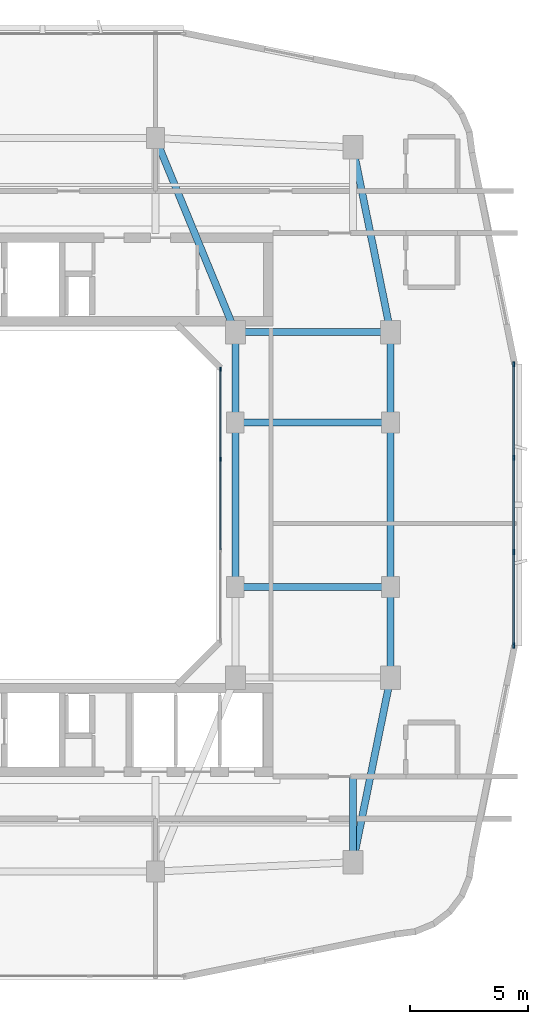
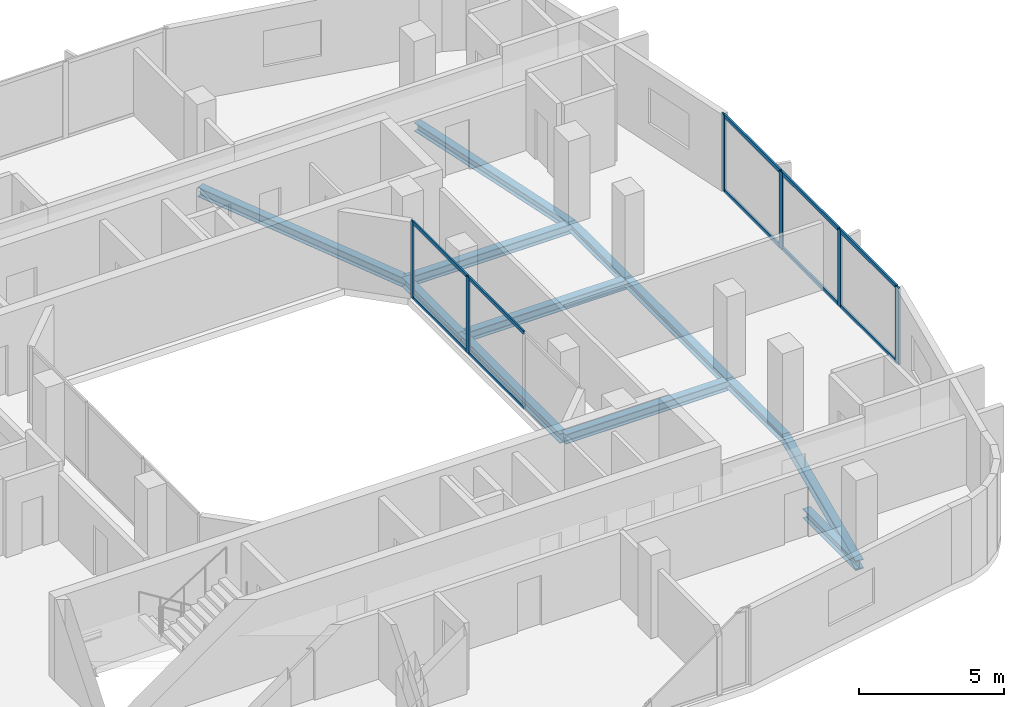
# One storey, part 4 of 14: 16 members, 12 beams, 2 elements without a shape of their own.
"""IFC4 building model written with IfcOpenShell, lengths in metres."""

from ifc_helpers import new_model, si_unit, derived_unit, direction, frame, origin, origin_2d, place, context, subcontext, project, spatial, rectangle, i_section, extrude, material, layer, layer_set, material_profile, profile_set, type_object, element, aggregate, save


model = new_model("IFC4")

# Units and contexts
model_context = context("Model", 3, precision=1e-05, world=origin(), true_north=direction((0.0, 1.0)))
body_context = subcontext(model_context, "Body", "Model", "MODEL_VIEW")
ifc_project = project(units=[si_unit("LENGTHUNIT", "METRE"), si_unit("AREAUNIT", "SQUARE_METRE"), si_unit("VOLUMEUNIT", "CUBIC_METRE"), si_unit("PLANEANGLEUNIT", "RADIAN"), si_unit("MASSUNIT", "GRAM", prefix="KILO"), derived_unit("THERMALTRANSMITTANCEUNIT", [(si_unit("POWERUNIT", "WATT"), 1), (si_unit("LENGTHUNIT", "METRE"), -2), (si_unit("THERMODYNAMICTEMPERATUREUNIT", "KELVIN"), -1)])], contexts=[model_context])

# Site, building, storey
site_placement = place(None, origin())
site = spatial("IfcSite", under=ifc_project, at=site_placement, CompositionType="ELEMENT")
building_placement = place(site_placement, origin())
building = spatial("IfcBuilding", under=site, at=building_placement, Name="Kivonza Crest Hotel", CompositionType="ELEMENT")
storey_placement = place(building_placement, frame((0.0, 0.0, 148.5)))
storey = spatial("IfcBuildingStorey", under=building, at=storey_placement, Name="L40", CompositionType="ELEMENT", Elevation=148.5)

# Beams
ifc_material_1 = material(Name="Steel S355", Category="steel")
ifc_material_profile_1 = material_profile(ifc_material_1, i_section(OverallWidth=0.300048828125, OverallDepth=0.360107421875, WebThickness=0.012451171875, FlangeThickness=0.0224609375, FilletRadius=0.027099609375, at=origin_2d()), Name="HEB 360")
ifc_profile_set_1 = profile_set([ifc_material_profile_1], Name="Steel S355")
beam_type_1 = type_object("IfcBeamType", Name="BM-HEB360", PredefinedType="SPANDREL", material=ifc_profile_set_1)
beam_1_placement = place(storey_placement, frame((34.199951171875, 9.800048828125, -0.4599609375), z_axis=(0.199730733965, 0.979850822273, 0.0), x_axis=(-0.979850822273, 0.199730733965, 0.0)))
element("IfcBeam", 1, at=beam_1_placement, inside=storey, type_object=beam_type_1, Name="Tower T1 L40 perimeter spandrel SE-PSE", PredefinedType="SPANDREL", context=body_context, shape_type="SweptSolid", body=[
    extrude(i_section(OverallWidth=0.300048828125, OverallDepth=0.360107421875, WebThickness=0.012451171875, FlangeThickness=0.0224609375, FilletRadius=0.027099609375, at=origin_2d()), origin(), (0.0, 0.0, 1.0), 8.01123046875),
])
beam_2_placement = place(storey_placement, frame((35.800048828125, 17.64990234375, -0.4599609375), z_axis=(0.0, 1.0, 0.0), x_axis=(-1.0, 0.0, 0.0)))
element("IfcBeam", 2, at=beam_2_placement, inside=storey, type_object=beam_type_1, Name="Tower T1 L40 perimeter spandrel PSE-E1", PredefinedType="SPANDREL", context=body_context, shape_type="SweptSolid", body=[
    extrude(i_section(OverallWidth=0.300048828125, OverallDepth=0.360107421875, WebThickness=0.012451171875, FlangeThickness=0.0224609375, FilletRadius=0.027099609375, at=origin_2d()), origin(), (0.0, 0.0, 1.0), 3.85009765625),
])
beam_3_placement = place(storey_placement, frame((35.800048828125, 21.5, -0.4599609375), z_axis=(0.0, 1.0, 0.0), x_axis=(-1.0, 0.0, 0.0)))
element("IfcBeam", 3, at=beam_3_placement, inside=storey, type_object=beam_type_1, Name="Tower T1 L40 perimeter spandrel E1-E2", PredefinedType="SPANDREL", context=body_context, shape_type="SweptSolid", body=[
    extrude(i_section(OverallWidth=0.300048828125, OverallDepth=0.360107421875, WebThickness=0.012451171875, FlangeThickness=0.0224609375, FilletRadius=0.027099609375, at=origin_2d()), origin(), (0.0, 0.0, 1.0), 7.0),
])
beam_4_placement = place(storey_placement, frame((35.800048828125, 28.5, -0.4599609375), z_axis=(0.0, 1.0, 0.0), x_axis=(-1.0, 0.0, 0.0)))
element("IfcBeam", 4, at=beam_4_placement, inside=storey, type_object=beam_type_1, Name="Tower T1 L40 perimeter spandrel E2-PNE", PredefinedType="SPANDREL", context=body_context, shape_type="SweptSolid", body=[
    extrude(i_section(OverallWidth=0.300048828125, OverallDepth=0.360107421875, WebThickness=0.012451171875, FlangeThickness=0.0224609375, FilletRadius=0.027099609375, at=origin_2d()), origin(), (0.0, 0.0, 1.0), 3.85009765625),
])
beam_5_placement = place(storey_placement, frame((35.800048828125, 32.35009765625, -0.4599609375), z_axis=(-0.199730733965, 0.979850822273, 0.0), x_axis=(-0.979850822273, -0.199730733965, 0.0)))
element("IfcBeam", 5, at=beam_5_placement, inside=storey, type_object=beam_type_1, Name="Tower T1 L40 perimeter spandrel PNE-NE", PredefinedType="SPANDREL", context=body_context, shape_type="SweptSolid", body=[
    extrude(i_section(OverallWidth=0.300048828125, OverallDepth=0.360107421875, WebThickness=0.012451171875, FlangeThickness=0.0224609375, FilletRadius=0.027099609375, at=origin_2d()), origin(), (0.0, 0.0, 1.0), 8.01123046875),
])
ifc_material_profile_2 = material_profile(ifc_material_1, i_section(OverallWidth=0.300048828125, OverallDepth=0.39990234375, WebThickness=0.013427734375, FlangeThickness=0.02392578125, FilletRadius=0.027099609375, at=origin_2d()), Name="HEB 400")
ifc_profile_set_2 = profile_set([ifc_material_profile_2], Name="Steel S355")
beam_type_2 = type_object("IfcBeamType", Name="BM-HEB400", PredefinedType="BEAM", material=ifc_profile_set_2)
beam_6_placement = place(storey_placement, frame((25.800048828125, 40.60009765625, -0.47998046875), z_axis=(0.381022260404, -0.924565864109, 0.0), x_axis=(0.924565864109, 0.381022260404, 0.0)))
element("IfcBeam", 6, at=beam_6_placement, inside=storey, type_object=beam_type_2, Name="Tower T1 L40 primary girder N1-TNE", PredefinedType="BEAM", context=body_context, shape_type="SweptSolid", body=[
    extrude(i_section(OverallWidth=0.300048828125, OverallDepth=0.39990234375, WebThickness=0.013427734375, FlangeThickness=0.02392578125, FilletRadius=0.027099609375, at=origin_2d()), origin(), (0.0, 0.0, 1.0), 8.923095703125),
])
beam_7_placement = place(storey_placement, frame((29.199951171875, 32.35009765625, -0.47998046875), z_axis=(1.0, 0.0, 0.0), x_axis=(0.0, 1.0, 0.0)))
element("IfcBeam", 7, at=beam_7_placement, inside=storey, type_object=beam_type_2, Name="Tower T1 L40 primary girder TNE-PNE", PredefinedType="BEAM", context=body_context, shape_type="SweptSolid", body=[
    extrude(i_section(OverallWidth=0.300048828125, OverallDepth=0.39990234375, WebThickness=0.013427734375, FlangeThickness=0.02392578125, FilletRadius=0.027099609375, at=origin_2d()), origin(), (0.0, 0.0, 1.0), 6.60009765625),
])
beam_8_placement = place(storey_placement, frame((29.199951171875, 21.5, -0.47998046875), z_axis=(0.0, 1.0, 0.0), x_axis=(-1.0, 0.0, 0.0)))
element("IfcBeam", 8, at=beam_8_placement, inside=storey, type_object=beam_type_2, Name="Tower T1 L40 primary girder WR1-WR2", PredefinedType="BEAM", context=body_context, shape_type="SweptSolid", body=[
    extrude(i_section(OverallWidth=0.300048828125, OverallDepth=0.39990234375, WebThickness=0.013427734375, FlangeThickness=0.02392578125, FilletRadius=0.027099609375, at=origin_2d()), origin(), (0.0, 0.0, 1.0), 7.0),
])
beam_9_placement = place(storey_placement, frame((29.199951171875, 28.5, -0.47998046875), z_axis=(0.0, 1.0, 0.0), x_axis=(-1.0, 0.0, 0.0)))
element("IfcBeam", 9, at=beam_9_placement, inside=storey, type_object=beam_type_2, Name="Tower T1 L40 primary girder WR2-TNE", PredefinedType="BEAM", context=body_context, shape_type="SweptSolid", body=[
    extrude(i_section(OverallWidth=0.300048828125, OverallDepth=0.39990234375, WebThickness=0.013427734375, FlangeThickness=0.02392578125, FilletRadius=0.027099609375, at=origin_2d()), origin(), (0.0, 0.0, 1.0), 3.85009765625),
])
for number, where, z_axis, x_axis, name in (
    (10, (29.199951171875, 21.5, -0.47998046875), (1.0, 0.0, 0.0), (0.0, 1.0, 0.0), "Tower T1 L40 primary girder WR1-E1"),
    (11, (29.199951171875, 28.5, -0.47998046875), (1.0, 0.0, 0.0), (0.0, 1.0, 0.0), "Tower T1 L40 primary girder WR2-E2"),
):
    element("IfcBeam", number, at=place(storey_placement, frame(where, z_axis=z_axis, x_axis=x_axis)), inside=storey, type_object=beam_type_2, Name=name, PredefinedType="BEAM", context=body_context, shape_type="SweptSolid", body=[
        extrude(i_section(OverallWidth=0.300048828125, OverallDepth=0.39990234375, WebThickness=0.013427734375, FlangeThickness=0.02392578125, FilletRadius=0.027099609375, at=origin_2d()), origin(), (0.0, 0.0, 1.0), 6.60009765625),
    ])
beam_10_placement = place(storey_placement, frame((34.199951171875, 9.800048828125, -0.47998046875), z_axis=(0.0, 1.0, 0.0), x_axis=(-1.0, 0.0, 0.0)))
element("IfcBeam", 12, at=beam_10_placement, inside=storey, type_object=beam_type_2, Name="Tower T1 L40 radial core girder RSE", PredefinedType="BEAM", context=body_context, shape_type="SweptSolid", body=[
    extrude(i_section(OverallWidth=0.300048828125, OverallDepth=0.39990234375, WebThickness=0.013427734375, FlangeThickness=0.02392578125, FilletRadius=0.027099609375, at=origin_2d()), origin(), (0.0, 0.0, 1.0), 3.64990234375),
])

# Curtain wall, members
ifc_material_2 = material(Name="Anodised bronze aluminium and low-E double glazing", Category="aluminium")
ifc_layer_1 = layer(ifc_material_2, 0.159912109375)
ifc_layer_set_1 = layer_set([ifc_layer_1], Name="Anodised bronze aluminium and low-E double glazing")
curtain_wall_type_1 = type_object("IfcCurtainWallType", Name="CW-SYS-5", PredefinedType="NOTDEFINED", material=ifc_layer_set_1)
curtain_wall_1_placement = place(storey_placement, origin())
curtain_wall_1 = element("IfcCurtainWall", 13, at=curtain_wall_1_placement, inside=storey, type_object=curtain_wall_type_1, Name="L40 unitised curtain wall CW-WELL-T1-L40-3", PredefinedType="NOTDEFINED")
ifc_material_3 = material(Name="Anodised bronze aluminium", Category="aluminium")
ifc_material_profile_3 = material_profile(ifc_material_3, rectangle(XDim=0.06494140625, YDim=0.179931640625, at=origin_2d()), Name="CW-M 65x180")
ifc_profile_set_3 = profile_set([ifc_material_profile_3], Name="Anodised bronze aluminium")
member_type_1 = type_object("IfcMemberType", Name="CW-MUL-65x180", PredefinedType="MULLION", material=ifc_profile_set_3)
member_1_placement = place(storey_placement, frame((28.56005859375, 26.933349609375, 0.0), z_axis=(0.0, 0.0, 1.0), x_axis=(-1.0, 0.0, 0.0)))
member_1 = element("IfcMember", 14, at=member_1_placement, type_object=member_type_1, Name="CW-5 mullion 3", PredefinedType="MULLION", context=body_context, shape_type="SweptSolid", body=[
    extrude(rectangle(XDim=0.06494140625, YDim=0.179931640625, at=origin_2d()), origin(), (0.0, 0.0, 1.0), 3.219970703125),
])
member_2_placement = place(storey_placement, frame((28.56005859375, 30.767578125, 0.0), z_axis=(0.0, 0.0, 1.0), x_axis=(-1.0, 0.0, 0.0)))
member_2 = element("IfcMember", 15, at=member_2_placement, type_object=member_type_1, Name="CW-5 mullion 4", PredefinedType="MULLION", context=body_context, shape_type="SweptSolid", body=[
    extrude(rectangle(XDim=0.06494140625, YDim=0.179931640625, at=origin_2d()), origin(), (0.0, 0.0, 1.0), 3.219970703125),
])

ifc_layer_2 = layer(ifc_material_2, 0.179931640625)
ifc_layer_set_2 = layer_set([ifc_layer_2], Name="Anodised bronze aluminium and low-E double glazing")
curtain_wall_type_2 = type_object("IfcCurtainWallType", Name="CW-SYS-3", PredefinedType="NOTDEFINED", material=ifc_layer_set_2)
curtain_wall_2_placement = place(storey_placement, origin())
curtain_wall_2 = element("IfcCurtainWall", 16, at=curtain_wall_2_placement, inside=storey, type_object=curtain_wall_type_2, Name="L40 unitised curtain wall CW-T1-L40-17", PredefinedType="NOTDEFINED")
ifc_material_profile_4 = material_profile(ifc_material_3, rectangle(XDim=0.074951171875, YDim=0.219970703125, at=origin_2d()), Name="CW-M 75x220")
ifc_profile_set_4 = profile_set([ifc_material_profile_4], Name="Anodised bronze aluminium")
member_type_2 = type_object("IfcMemberType", Name="CW-MUL-75x220", PredefinedType="MULLION", material=ifc_profile_set_4)
member_3_placement = place(storey_placement, frame((41.0400390625, 19.017578125, 0.0), z_axis=(0.0, 0.0, 1.0), x_axis=(-1.0, 0.0, 0.0)))
member_3 = element("IfcMember", 17, at=member_3_placement, type_object=member_type_2, Name="CW-3 mullion 1", PredefinedType="MULLION", context=body_context, shape_type="SweptSolid", body=[
    extrude(rectangle(XDim=0.074951171875, YDim=0.219970703125, at=origin_2d()), origin(), (0.0, 0.0, 1.0), 3.219970703125),
])
member_4_placement = place(storey_placement, frame((41.0400390625, 22.993408203125, 0.0), z_axis=(0.0, 0.0, 1.0), x_axis=(-1.0, 0.0, 0.0)))
member_4 = element("IfcMember", 18, at=member_4_placement, type_object=member_type_2, Name="CW-3 mullion 2", PredefinedType="MULLION", context=body_context, shape_type="SweptSolid", body=[
    extrude(rectangle(XDim=0.074951171875, YDim=0.219970703125, at=origin_2d()), origin(), (0.0, 0.0, 1.0), 3.219970703125),
])
member_5_placement = place(storey_placement, frame((41.0400390625, 27.006591796875, 0.0), z_axis=(0.0, 0.0, 1.0), x_axis=(-1.0, 0.0, 0.0)))
member_5 = element("IfcMember", 19, at=member_5_placement, type_object=member_type_2, Name="CW-3 mullion 3", PredefinedType="MULLION", context=body_context, shape_type="SweptSolid", body=[
    extrude(rectangle(XDim=0.074951171875, YDim=0.219970703125, at=origin_2d()), origin(), (0.0, 0.0, 1.0), 3.219970703125),
])
member_6_placement = place(storey_placement, frame((41.0400390625, 30.982421875, 0.0), z_axis=(0.0, 0.0, 1.0), x_axis=(-1.0, 0.0, 0.0)))
member_6 = element("IfcMember", 20, at=member_6_placement, type_object=member_type_2, Name="CW-3 mullion 4", PredefinedType="MULLION", context=body_context, shape_type="SweptSolid", body=[
    extrude(rectangle(XDim=0.074951171875, YDim=0.219970703125, at=origin_2d()), origin(), (0.0, 0.0, 1.0), 3.219970703125),
])

# Member
ifc_material_profile_5 = material_profile(ifc_material_3, rectangle(XDim=0.06494140625, YDim=0.139892578125, at=origin_2d()), Name="CW-T 65x140")
ifc_profile_set_5 = profile_set([ifc_material_profile_5], Name="Anodised bronze aluminium")
member_type_3 = type_object("IfcMemberType", Name="CW-TRN-65x140", PredefinedType="USERDEFINED", material=ifc_profile_set_5)
member_7_placement = place(storey_placement, frame((28.56005859375, 23.09912109375, 0.032470703125), z_axis=(0.0, 1.0, 0.0), x_axis=(-1.0, 0.0, 0.0)))
member_7 = element("IfcMember", 21, at=member_7_placement, type_object=member_type_3, Name="CW-5 transom 2.1", ObjectType="TRANSOM", PredefinedType="USERDEFINED", context=body_context, shape_type="SweptSolid", body=[
    extrude(rectangle(XDim=0.06494140625, YDim=0.139892578125, at=origin_2d()), origin(), (0.0, 0.0, 1.0), 3.8017578125),
])

member_8_placement = place(storey_placement, frame((28.56005859375, 23.09912109375, 3.1875), z_axis=(0.0, 1.0, 0.0), x_axis=(-1.0, 0.0, 0.0)))
member_8 = element("IfcMember", 22, at=member_8_placement, type_object=member_type_3, Name="CW-5 transom 2.2", ObjectType="TRANSOM", PredefinedType="USERDEFINED", context=body_context, shape_type="SweptSolid", body=[
    extrude(rectangle(XDim=0.06494140625, YDim=0.139892578125, at=origin_2d()), origin(), (0.0, 0.0, 1.0), 3.8017578125),
])

member_9_placement = place(storey_placement, frame((28.56005859375, 26.9658203125, 0.032470703125), z_axis=(0.0, 1.0, 0.0), x_axis=(-1.0, 0.0, 0.0)))
member_9 = element("IfcMember", 23, at=member_9_placement, type_object=member_type_3, Name="CW-5 transom 3.1", ObjectType="TRANSOM", PredefinedType="USERDEFINED", context=body_context, shape_type="SweptSolid", body=[
    extrude(rectangle(XDim=0.06494140625, YDim=0.139892578125, at=origin_2d()), origin(), (0.0, 0.0, 1.0), 3.769287109375),
])

member_10_placement = place(storey_placement, frame((28.56005859375, 26.9658203125, 3.1875), z_axis=(0.0, 1.0, 0.0), x_axis=(-1.0, 0.0, 0.0)))
member_10 = element("IfcMember", 24, at=member_10_placement, type_object=member_type_3, Name="CW-5 transom 3.2", ObjectType="TRANSOM", PredefinedType="USERDEFINED", context=body_context, shape_type="SweptSolid", body=[
    extrude(rectangle(XDim=0.06494140625, YDim=0.139892578125, at=origin_2d()), origin(), (0.0, 0.0, 1.0), 3.769287109375),
])

aggregate(curtain_wall_1, [member_1, member_2, member_7, member_8, member_9, member_10])

ifc_material_profile_6 = material_profile(ifc_material_3, rectangle(XDim=0.074951171875, YDim=0.159912109375, at=origin_2d()), Name="CW-T 75x160")
ifc_profile_set_6 = profile_set([ifc_material_profile_6], Name="Anodised bronze aluminium")
member_type_4 = type_object("IfcMemberType", Name="CW-TRN-75x160", PredefinedType="USERDEFINED", material=ifc_profile_set_6)
member_11_placement = place(storey_placement, frame((41.0400390625, 19.054931640625, 0.03759765625), z_axis=(0.0, 1.0, 0.0), x_axis=(-1.0, 0.0, 0.0)))
member_11 = element("IfcMember", 25, at=member_11_placement, type_object=member_type_4, Name="CW-3 transom 1.1", ObjectType="TRANSOM", PredefinedType="USERDEFINED", context=body_context, shape_type="SweptSolid", body=[
    extrude(rectangle(XDim=0.074951171875, YDim=0.159912109375, at=origin_2d()), origin(), (0.0, 0.0, 1.0), 3.90087890625),
])

member_12_placement = place(storey_placement, frame((41.0400390625, 19.054931640625, 3.1826171875), z_axis=(0.0, 1.0, 0.0), x_axis=(-1.0, 0.0, 0.0)))
member_12 = element("IfcMember", 26, at=member_12_placement, type_object=member_type_4, Name="CW-3 transom 1.2", ObjectType="TRANSOM", PredefinedType="USERDEFINED", context=body_context, shape_type="SweptSolid", body=[
    extrude(rectangle(XDim=0.074951171875, YDim=0.159912109375, at=origin_2d()), origin(), (0.0, 0.0, 1.0), 3.90087890625),
])

member_13_placement = place(storey_placement, frame((41.0400390625, 23.03076171875, 0.03759765625), z_axis=(0.0, 1.0, 0.0), x_axis=(-1.0, 0.0, 0.0)))
member_13 = element("IfcMember", 27, at=member_13_placement, type_object=member_type_4, Name="CW-3 transom 2.1", ObjectType="TRANSOM", PredefinedType="USERDEFINED", context=body_context, shape_type="SweptSolid", body=[
    extrude(rectangle(XDim=0.074951171875, YDim=0.159912109375, at=origin_2d()), origin(), (0.0, 0.0, 1.0), 3.9384765625),
])

member_14_placement = place(storey_placement, frame((41.0400390625, 23.03076171875, 3.1826171875), z_axis=(0.0, 1.0, 0.0), x_axis=(-1.0, 0.0, 0.0)))
member_14 = element("IfcMember", 28, at=member_14_placement, type_object=member_type_4, Name="CW-3 transom 2.2", ObjectType="TRANSOM", PredefinedType="USERDEFINED", context=body_context, shape_type="SweptSolid", body=[
    extrude(rectangle(XDim=0.074951171875, YDim=0.159912109375, at=origin_2d()), origin(), (0.0, 0.0, 1.0), 3.9384765625),
])

member_15_placement = place(storey_placement, frame((41.0400390625, 27.044189453125, 0.03759765625), z_axis=(0.0, 1.0, 0.0), x_axis=(-1.0, 0.0, 0.0)))
member_15 = element("IfcMember", 29, at=member_15_placement, type_object=member_type_4, Name="CW-3 transom 3.1", ObjectType="TRANSOM", PredefinedType="USERDEFINED", context=body_context, shape_type="SweptSolid", body=[
    extrude(rectangle(XDim=0.074951171875, YDim=0.159912109375, at=origin_2d()), origin(), (0.0, 0.0, 1.0), 3.90087890625),
])

member_16_placement = place(storey_placement, frame((41.0400390625, 27.044189453125, 3.1826171875), z_axis=(0.0, 1.0, 0.0), x_axis=(-1.0, 0.0, 0.0)))
member_16 = element("IfcMember", 30, at=member_16_placement, type_object=member_type_4, Name="CW-3 transom 3.2", ObjectType="TRANSOM", PredefinedType="USERDEFINED", context=body_context, shape_type="SweptSolid", body=[
    extrude(rectangle(XDim=0.074951171875, YDim=0.159912109375, at=origin_2d()), origin(), (0.0, 0.0, 1.0), 3.90087890625),
])

aggregate(curtain_wall_2, [member_3, member_4, member_5, member_6, member_11, member_12, member_13, member_14, member_15, member_16])

save(model, "model.ifc")
